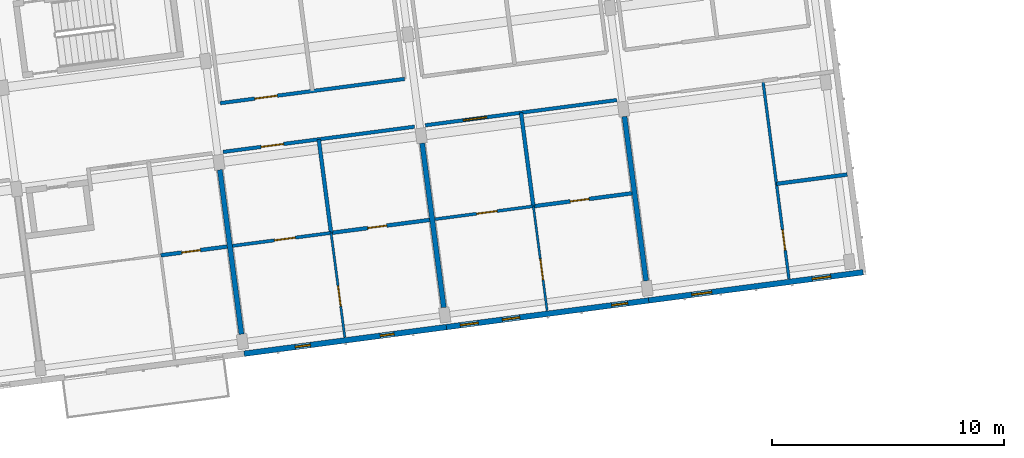
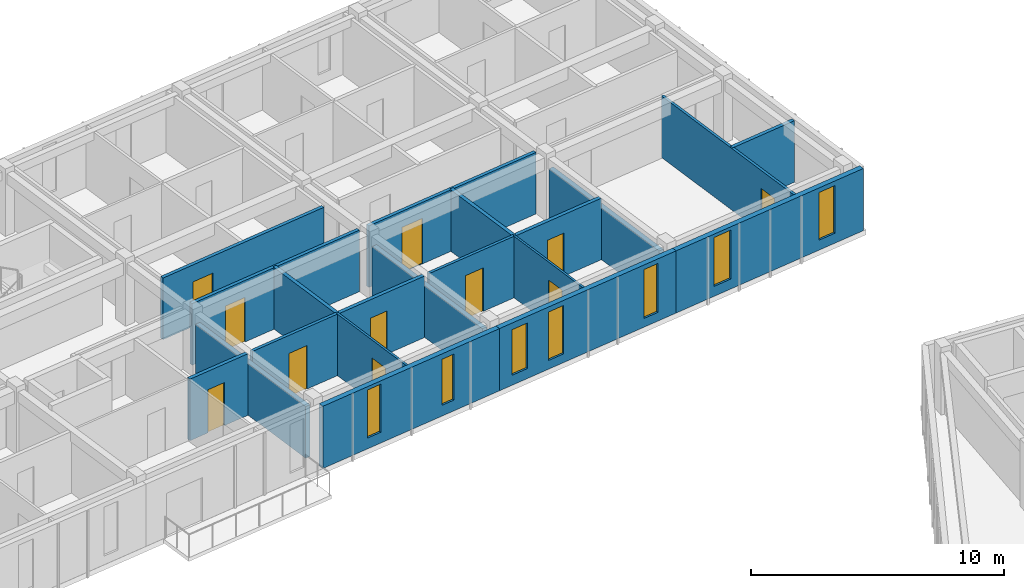
# One storey, part 22 of 56: 20 walls, 11 doors, 7 windows, 18 openings.
"""IFC4 building model written with IfcOpenShell, lengths in metres."""

from ifc_helpers import new_model, si_unit, direction, frame, frame_2d, origin, place, context, subcontext, project, spatial, rectangle, extrude, material, layer, layer_set, type_object, element, fill, save


model = new_model("IFC4")

# Units and contexts
model_context = context("Model", 3, precision=1e-05, world=origin(), true_north=direction((0.0, 1.0)))
body_context = subcontext(model_context, "Body", "Model", "MODEL_VIEW")
ifc_project = project(units=[si_unit("LENGTHUNIT", "METRE"), si_unit("AREAUNIT", "SQUARE_METRE"), si_unit("VOLUMEUNIT", "CUBIC_METRE"), si_unit("PLANEANGLEUNIT", "RADIAN"), si_unit("MASSUNIT", "GRAM", prefix="KILO")], contexts=[model_context])

# Site, building, storey
site_placement = place(None, origin())
site = spatial("IfcSite", under=ifc_project, at=site_placement, CompositionType="ELEMENT")
building_placement = place(site_placement, origin())
building = spatial("IfcBuilding", under=site, at=building_placement, Name="Kestramere Prow Commons", CompositionType="ELEMENT")
storey_placement = place(building_placement, frame((0.0, 0.0, 27.89990234375)))
storey = spatial("IfcBuildingStorey", under=building, at=storey_placement, Name="L08", CompositionType="ELEMENT", Elevation=27.89990234375)

# Wall, openings, windows
ifc_material_1 = material(Name="Fluoropolymer Standing-Seam Zinc-Aluminium Cladding", Category="aluminium")
ifc_layer_1 = layer(ifc_material_1, 0.239990234375)
ifc_layer_set_1 = layer_set([ifc_layer_1], Name="Fluoropolymer Standing-Seam Zinc-Aluminium Cladding")
wall_type_1 = type_object("IfcWallType", Name="EW-SEAM-240", PredefinedType="SOLIDWALL", material=ifc_layer_set_1)
wall_1_placement = place(storey_placement, frame((46.16748046875, 76.073974609375, 0.0), z_axis=(0.0, 0.0, 1.0), x_axis=(-0.991444377792, -0.130529865336, 0.0)))
wall_1 = element("IfcWall", 1, at=wall_1_placement, inside=storey, type_object=wall_type_1, Name="Block A L08 South Standing-Seam Wall 4", PredefinedType="SOLIDWALL", context=body_context, shape_type="SweptSolid", body=[
    extrude(rectangle(XDim=8.800048828125, YDim=0.239990234375, at=frame_2d((4.39990234375, 0.0))), origin(), (0.0, 0.0, 1.0), 3.0),
])
opening_1_placement = place(wall_1_placement, frame((2.27685546875, 0.0, 0.52001953125)))
opening_1 = element("IfcOpeningElement", 2, at=opening_1_placement, cuts=wall_1, Name="Opening WN-02", PredefinedType="OPENING", context=body_context, shape_type="SweptSolid", body=[
    extrude(rectangle(XDim=0.60009765625, YDim=2.219970703125, at=frame_2d((0.300048828125, 1.10986328125))), frame((0.0, 0.135009765625, 0.0), z_axis=(0.0, -1.0, 0.0), x_axis=(1.0, 0.0, 0.0)), (0.0, 0.0, 1.0), 0.27001953125),
])
opening_2_placement = place(wall_1_placement, frame((5.912353515625, 0.0, 0.52001953125)))
opening_2 = element("IfcOpeningElement", 3, at=opening_2_placement, cuts=wall_1, Name="Opening WN-05", PredefinedType="OPENING", context=body_context, shape_type="SweptSolid", body=[
    extrude(rectangle(XDim=0.659912109375, YDim=2.320068359375, at=frame_2d((0.330078125, 1.16015625))), frame((0.0, 0.135009765625, 0.0), z_axis=(0.0, -1.0, 0.0), x_axis=(1.0, 0.0, 0.0)), (0.0, 0.0, 1.0), 0.27001953125),
])
ifc_material_2 = material(Name="Low-E Laminated Double Glazing", Category="glass")
window_type_1 = type_object("IfcWindowType", Name="WN-NAR-600A", PartitioningType="SINGLE_PANEL", PredefinedType="WINDOW", material=ifc_material_2)
window_1_placement = place(opening_1_placement, origin())
window_1 = element("IfcWindow", 4, at=window_1_placement, inside=storey, type_object=window_type_1, Name="WN-A-L08-S-3-00", OverallHeight=2.219970703125, OverallWidth=0.60009765625, PartitioningType="SINGLE_PANEL", PredefinedType="WINDOW", context=body_context, shape_type="SweptSolid", body=[
    extrude(rectangle(XDim=0.60009765625, YDim=2.219970703125, at=frame_2d((0.300048828125, 1.10986328125))), frame((0.0, 0.030029296875, 0.0), z_axis=(0.0, -1.0, 0.0), x_axis=(1.0, 0.0, 0.0)), (0.0, 0.0, 1.0), 0.06005859375),
])
fill(opening_1, window_1)
window_type_2 = type_object("IfcWindowType", Name="WN-NAR-660A", PartitioningType="SINGLE_PANEL", PredefinedType="WINDOW", material=ifc_material_2)
window_2_placement = place(opening_2_placement, origin())
window_2 = element("IfcWindow", 5, at=window_2_placement, inside=storey, type_object=window_type_2, Name="WN-A-L08-S-3-10", OverallHeight=2.320068359375, OverallWidth=0.659912109375, PartitioningType="SINGLE_PANEL", PredefinedType="WINDOW", context=body_context, shape_type="SweptSolid", body=[
    extrude(rectangle(XDim=0.659912109375, YDim=2.320068359375, at=frame_2d((0.330078125, 1.16015625))), frame((0.0, 0.030029296875, 0.0), z_axis=(0.0, -1.0, 0.0), x_axis=(1.0, 0.0, 0.0)), (0.0, 0.0, 1.0), 0.06005859375),
])
fill(opening_2, window_2)

wall_2_placement = place(storey_placement, frame((54.89208984375, 77.22265625, 0.0), z_axis=(0.0, 0.0, 1.0), x_axis=(-0.991443905089, -0.130533455715, 0.0)))
wall_2 = element("IfcWall", 6, at=wall_2_placement, inside=storey, type_object=wall_type_1, Name="Block A L08 South Standing-Seam Wall 5", PredefinedType="SOLIDWALL", context=body_context, shape_type="SweptSolid", body=[
    extrude(rectangle(XDim=8.7998046875, YDim=0.239990234375, at=frame_2d((4.39990234375, 0.0))), origin(), (0.0, 0.0, 1.0), 3.0),
])
opening_3_placement = place(wall_2_placement, frame((0.9111328125, 0.0, 0.419921875)))
opening_3 = element("IfcOpeningElement", 7, at=opening_3_placement, cuts=wall_2, Name="Opening WN-07", PredefinedType="OPENING", context=body_context, shape_type="SweptSolid", body=[
    extrude(rectangle(XDim=0.699951171875, YDim=2.360107421875, at=frame_2d((0.35009765625, 1.18017578125))), frame((0.0, 0.135009765625, 0.0), z_axis=(0.0, -1.0, 0.0), x_axis=(1.0, 0.0, 0.0)), (0.0, 0.0, 1.0), 0.27001953125),
])
opening_4_placement = place(wall_2_placement, frame((5.60400390625, 0.0, 0.419921875)))
opening_4 = element("IfcOpeningElement", 8, at=opening_4_placement, cuts=wall_2, Name="Opening WN-10", PredefinedType="OPENING", context=body_context, shape_type="SweptSolid", body=[
    extrude(rectangle(XDim=0.760009765625, YDim=2.340087890625, at=frame_2d((0.3798828125, 1.169921875))), frame((0.0, 0.135009765625, 0.0), z_axis=(0.0, -1.0, 0.0), x_axis=(1.0, 0.0, 0.0)), (0.0, 0.0, 1.0), 0.27001953125),
])
opening_5_placement = place(wall_2_placement, frame((7.409912109375, 0.0, 0.47998046875)))
opening_5 = element("IfcOpeningElement", 9, at=opening_5_placement, cuts=wall_2, Name="Opening WN-11", PredefinedType="OPENING", context=body_context, shape_type="SweptSolid", body=[
    extrude(rectangle(XDim=0.780029296875, YDim=2.199951171875, at=frame_2d((0.39013671875, 1.10009765625))), frame((0.0, 0.135009765625, 0.0), z_axis=(0.0, -1.0, 0.0), x_axis=(1.0, 0.0, 0.0)), (0.0, 0.0, 1.0), 0.27001953125),
])
window_type_3 = type_object("IfcWindowType", Name="WN-NAR-700A", PartitioningType="SINGLE_PANEL", PredefinedType="WINDOW", material=ifc_material_2)
window_3_placement = place(opening_3_placement, origin())
window_3 = element("IfcWindow", 10, at=window_3_placement, inside=storey, type_object=window_type_3, Name="WN-A-L08-S-4-00", OverallHeight=2.360107421875, OverallWidth=0.699951171875, PartitioningType="SINGLE_PANEL", PredefinedType="WINDOW", context=body_context, shape_type="SweptSolid", body=[
    extrude(rectangle(XDim=0.699951171875, YDim=2.360107421875, at=frame_2d((0.35009765625, 1.18017578125))), frame((0.0, 0.030029296875, 0.0), z_axis=(0.0, -1.0, 0.0), x_axis=(1.0, 0.0, 0.0)), (0.0, 0.0, 1.0), 0.06005859375),
])
fill(opening_3, window_3)
window_type_4 = type_object("IfcWindowType", Name="WN-NAR-760A", PartitioningType="SINGLE_PANEL", PredefinedType="WINDOW", material=ifc_material_2)
window_4_placement = place(opening_4_placement, origin())
window_4 = element("IfcWindow", 11, at=window_4_placement, inside=storey, type_object=window_type_4, Name="WN-A-L08-S-4-10", OverallHeight=2.340087890625, OverallWidth=0.760009765625, PartitioningType="SINGLE_PANEL", PredefinedType="WINDOW", context=body_context, shape_type="SweptSolid", body=[
    extrude(rectangle(XDim=0.760009765625, YDim=2.340087890625, at=frame_2d((0.3798828125, 1.169921875))), frame((0.0, 0.030029296875, 0.0), z_axis=(0.0, -1.0, 0.0), x_axis=(1.0, 0.0, 0.0)), (0.0, 0.0, 1.0), 0.06005859375),
])
fill(opening_4, window_4)
window_type_5 = type_object("IfcWindowType", Name="WN-NAR-780A", PartitioningType="SINGLE_PANEL", PredefinedType="WINDOW", material=ifc_material_2)
window_5_placement = place(opening_5_placement, origin())
window_5 = element("IfcWindow", 12, at=window_5_placement, inside=storey, type_object=window_type_5, Name="WN-A-L08-S-4-11", OverallHeight=2.199951171875, OverallWidth=0.780029296875, PartitioningType="SINGLE_PANEL", PredefinedType="WINDOW", context=body_context, shape_type="SweptSolid", body=[
    extrude(rectangle(XDim=0.780029296875, YDim=2.199951171875, at=frame_2d((0.39013671875, 1.10009765625))), frame((0.0, 0.030029296875, 0.0), z_axis=(0.0, -1.0, 0.0), x_axis=(1.0, 0.0, 0.0)), (0.0, 0.0, 1.0), 0.06005859375),
])
fill(opening_5, window_5)

wall_3_placement = place(storey_placement, frame((64.13720703125, 78.439697265625, 0.0), z_axis=(0.0, 0.0, 1.0), x_axis=(-0.991446273426, -0.130515466173, 0.0)))
wall_3 = element("IfcWall", 13, at=wall_3_placement, inside=storey, type_object=wall_type_1, Name="Block A L08 South Standing-Seam Wall 6", PredefinedType="SOLIDWALL", context=body_context, shape_type="SweptSolid", body=[
    extrude(rectangle(XDim=9.324951171875, YDim=0.239990234375, at=frame_2d((4.66259765625, 0.0))), origin(), (0.0, 0.0, 1.0), 3.0),
])
opening_6_placement = place(wall_3_placement, frame((1.410888671875, 0.0, 0.47998046875)))
opening_6 = element("IfcOpeningElement", 14, at=opening_6_placement, cuts=wall_3, Name="Opening WN-12", PredefinedType="OPENING", context=body_context, shape_type="SweptSolid", body=[
    extrude(rectangle(XDim=0.800048828125, YDim=2.300048828125, at=frame_2d((0.39990234375, 1.14990234375))), frame((0.0, 0.135009765625, 0.0), z_axis=(0.0, -1.0, 0.0), x_axis=(1.0, 0.0, 0.0)), (0.0, 0.0, 1.0), 0.27001953125),
])
opening_7_placement = place(wall_3_placement, frame((6.590087890625, 0.0, 0.47998046875)))
opening_7 = element("IfcOpeningElement", 15, at=opening_7_placement, cuts=wall_3, Name="Opening WN-15", PredefinedType="OPENING", context=body_context, shape_type="SweptSolid", body=[
    extrude(rectangle(XDim=0.860107421875, YDim=2.360107421875, at=frame_2d((0.43017578125, 1.18017578125))), frame((0.0, 0.135009765625, 0.0), z_axis=(0.0, -1.0, 0.0), x_axis=(1.0, 0.0, 0.0)), (0.0, 0.0, 1.0), 0.27001953125),
])
window_type_6 = type_object("IfcWindowType", Name="WN-NAR-800A", PartitioningType="SINGLE_PANEL", PredefinedType="WINDOW", material=ifc_material_2)
window_6_placement = place(opening_6_placement, origin())
window_6 = element("IfcWindow", 16, at=window_6_placement, inside=storey, type_object=window_type_6, Name="WN-A-L08-S-5-00", OverallHeight=2.300048828125, OverallWidth=0.800048828125, PartitioningType="SINGLE_PANEL", PredefinedType="WINDOW", context=body_context, shape_type="SweptSolid", body=[
    extrude(rectangle(XDim=0.800048828125, YDim=2.300048828125, at=frame_2d((0.39990234375, 1.14990234375))), frame((0.0, 0.030029296875, 0.0), z_axis=(0.0, -1.0, 0.0), x_axis=(1.0, 0.0, 0.0)), (0.0, 0.0, 1.0), 0.06005859375),
])
fill(opening_6, window_6)
window_type_7 = type_object("IfcWindowType", Name="WN-NAR-860A", PartitioningType="DOUBLE_PANEL_VERTICAL", PredefinedType="WINDOW", material=ifc_material_2)
window_7_placement = place(opening_7_placement, origin())
window_7 = element("IfcWindow", 17, at=window_7_placement, inside=storey, type_object=window_type_7, Name="WN-A-L08-S-5-10", OverallHeight=2.360107421875, OverallWidth=0.860107421875, PartitioningType="SINGLE_PANEL", PredefinedType="WINDOW", context=body_context, shape_type="SweptSolid", body=[
    extrude(rectangle(XDim=0.860107421875, YDim=2.360107421875, at=frame_2d((0.43017578125, 1.18017578125))), frame((0.0, 0.030029296875, 0.0), z_axis=(0.0, -1.0, 0.0), x_axis=(1.0, 0.0, 0.0)), (0.0, 0.0, 1.0), 0.06005859375),
])
fill(opening_7, window_7)

# Wall, opening, door
ifc_material_3 = material(Name="Fire-Rated Calcium Silicate Wall")
ifc_layer_2 = layer(ifc_material_3, 0.155029296875)
ifc_layer_set_2 = layer_set([ifc_layer_2], Name="Fire-Rated Calcium Silicate Wall")
wall_type_2 = type_object("IfcWallType", Name="W-FIRE-150", PredefinedType="PARTITIONING", material=ifc_layer_set_2)
wall_4_placement = place(storey_placement, frame((36.5341796875, 83.626220703125, 0.0), z_axis=(0.0, 0.0, 1.0), x_axis=(0.991443119217, 0.13053942453, 0.0)))
wall_4 = element("IfcWall", 18, at=wall_4_placement, inside=storey, type_object=wall_type_2, Name="Interior Partition PW-A-L08-CS-3", PredefinedType="PARTITIONING", context=body_context, shape_type="SweptSolid", body=[
    extrude(rectangle(XDim=8.330078125, YDim=0.155029296875, at=frame_2d((4.1650390625, 0.0))), origin(), (0.0, 0.0, 1.0), 2.97021484375),
])
opening_8_placement = place(wall_4_placement, frame((1.655029296875, 0.0, 0.0)))
opening_8 = element("IfcOpeningElement", 19, at=opening_8_placement, cuts=wall_4, Name="Opening ID-04", PredefinedType="OPENING", context=body_context, shape_type="SweptSolid", body=[
    extrude(rectangle(XDim=0.97998046875, YDim=2.14990234375, at=frame_2d((0.489990234375, 1.074951171875))), frame((0.0, 0.092529296875, 0.0), z_axis=(0.0, -1.0, 0.0), x_axis=(1.0, 0.0, 0.0)), (0.0, 0.0, 1.0), 0.18505859375),
])
ifc_material_4 = material(Name="Hardwood Fire-Rated Flat Entrance Door", Category="wood")
door_type_1 = type_object("IfcDoorType", Name="FD-ENT-01", OperationType="NOTDEFINED", PredefinedType="DOOR", material=ifc_material_4)
door_1_placement = place(opening_8_placement, origin())
door_1 = element("IfcDoor", 20, at=door_1_placement, inside=storey, type_object=door_type_1, Name="Interior Door DR-A-L08-ENT-S3", OperationType="SINGLE_SWING_RIGHT", OverallHeight=2.14990234375, OverallWidth=0.97998046875, PredefinedType="DOOR", context=body_context, shape_type="SweptSolid", body=[
    extrude(rectangle(XDim=0.97998046875, YDim=2.14990234375, at=frame_2d((0.489990234375, 1.074951171875))), frame((0.0, 0.02490234375, 0.0), z_axis=(0.0, -1.0, 0.0), x_axis=(1.0, 0.0, 0.0)), (0.0, 0.0, 1.0), 0.050048828125),
])
fill(opening_8, door_1)

wall_5_placement = place(storey_placement, frame((45.259033203125, 84.77490234375, 0.0), z_axis=(0.0, 0.0, 1.0), x_axis=(0.991446412738, 0.130514407897, 0.0)))
wall_5 = element("IfcWall", 21, at=wall_5_placement, inside=storey, type_object=wall_type_2, Name="Interior Partition PW-A-L08-CS-4", PredefinedType="PARTITIONING", context=body_context, shape_type="SweptSolid", body=[
    extrude(rectangle(XDim=8.329833984375, YDim=0.155029296875, at=frame_2d((4.1650390625, 0.0))), origin(), (0.0, 0.0, 1.0), 2.97021484375),
])
opening_9_placement = place(wall_5_placement, frame((1.655029296875, 0.0, 0.0)))
opening_9 = element("IfcOpeningElement", 22, at=opening_9_placement, cuts=wall_5, Name="Opening ID-05", PredefinedType="OPENING", context=body_context, shape_type="SweptSolid", body=[
    extrude(rectangle(XDim=1.02001953125, YDim=2.199951171875, at=frame_2d((0.510009765625, 1.10009765625))), frame((0.0, 0.092529296875, 0.0), z_axis=(0.0, -1.0, 0.0), x_axis=(1.0, 0.0, 0.0)), (0.0, 0.0, 1.0), 0.18505859375),
])
door_type_2 = type_object("IfcDoorType", Name="FD-ENT-02", OperationType="NOTDEFINED", PredefinedType="DOOR", material=ifc_material_4)
door_2_placement = place(opening_9_placement, origin())
door_2 = element("IfcDoor", 23, at=door_2_placement, inside=storey, type_object=door_type_2, Name="Interior Door DR-A-L08-ENT-S4", OperationType="SINGLE_SWING_LEFT", OverallHeight=2.199951171875, OverallWidth=1.02001953125, PredefinedType="DOOR", context=body_context, shape_type="SweptSolid", body=[
    extrude(rectangle(XDim=1.02001953125, YDim=2.199951171875, at=frame_2d((0.510009765625, 1.10009765625))), frame((0.0, 0.02490234375, 0.0), z_axis=(0.0, -1.0, 0.0), x_axis=(1.0, 0.0, 0.0)), (0.0, 0.0, 1.0), 0.050048828125),
])
fill(opening_9, door_2)

wall_6_placement = place(storey_placement, frame((36.413818359375, 85.728515625, 0.0), z_axis=(0.0, 0.0, 1.0), x_axis=(0.991444034844, 0.130532470184, 0.0)))
wall_6 = element("IfcWall", 24, at=wall_6_placement, inside=storey, type_object=wall_type_2, Name="Interior Partition PW-A-L08-CN-3", PredefinedType="PARTITIONING", context=body_context, shape_type="SweptSolid", body=[
    extrude(rectangle(XDim=8.02001953125, YDim=0.155029296875, at=frame_2d((4.010009765625, 0.0))), origin(), (0.0, 0.0, 1.0), 2.97021484375),
])
opening_10_placement = place(wall_6_placement, frame((1.5048828125, 0.0, 0.0)))
opening_10 = element("IfcOpeningElement", 25, at=opening_10_placement, cuts=wall_6, Name="Opening ID-04", PredefinedType="OPENING", context=body_context, shape_type="SweptSolid", body=[
    extrude(rectangle(XDim=0.97998046875, YDim=2.14990234375, at=frame_2d((0.489990234375, 1.074951171875))), frame((0.0, 0.092529296875, 0.0), z_axis=(0.0, -1.0, 0.0), x_axis=(1.0, 0.0, 0.0)), (0.0, 0.0, 1.0), 0.18505859375),
])
door_3_placement = place(opening_10_placement, origin())
door_3 = element("IfcDoor", 26, at=door_3_placement, inside=storey, type_object=door_type_1, Name="Interior Door DR-A-L08-ENT-N3", OperationType="SINGLE_SWING_RIGHT", OverallHeight=2.14990234375, OverallWidth=0.97998046875, PredefinedType="DOOR", context=body_context, shape_type="SweptSolid", body=[
    extrude(rectangle(XDim=0.97998046875, YDim=2.14990234375, at=frame_2d((0.489990234375, 1.074951171875))), frame((0.0, 0.02490234375, 0.0), z_axis=(0.0, -1.0, 0.0), x_axis=(1.0, 0.0, 0.0)), (0.0, 0.0, 1.0), 0.050048828125),
])
fill(opening_10, door_3)

ifc_material_5 = material(Name="Gypsum Acoustic Drywall")
ifc_layer_3 = layer(ifc_material_5, 0.10009765625)
ifc_layer_set_3 = layer_set([ifc_layer_3], Name="Gypsum Acoustic Drywall")
wall_type_3 = type_object("IfcWallType", Name="W-PART-100", PredefinedType="PARTITIONING", material=ifc_layer_set_3)
wall_7_placement = place(storey_placement, frame((41.787353515625, 75.633544921875, 0.0), z_axis=(0.0, 0.0, 1.0), x_axis=(-0.130511545171, 0.991446789584, 0.0)))
wall_7 = element("IfcWall", 27, at=wall_7_placement, inside=storey, type_object=wall_type_3, Name="Interior Partition PW-A-L08-LB-S3", PredefinedType="PARTITIONING", context=body_context, shape_type="SweptSolid", body=[
    extrude(rectangle(XDim=4.5400390625, YDim=0.10009765625, at=frame_2d((2.27001953125, 0.0))), origin(), (0.0, 0.0, 1.0), 2.97021484375),
])
opening_11_placement = place(wall_7_placement, frame((1.35009765625, 0.0, 0.0)))
opening_11 = element("IfcOpeningElement", 28, at=opening_11_placement, cuts=wall_7, Name="Opening ID-10", PredefinedType="OPENING", context=body_context, shape_type="SweptSolid", body=[
    extrude(rectangle(XDim=0.8798828125, YDim=2.10009765625, at=frame_2d((0.43994140625, 1.050048828125))), frame((0.0, 0.06494140625, 0.0), z_axis=(0.0, -1.0, 0.0), x_axis=(1.0, 0.0, 0.0)), (0.0, 0.0, 1.0), 0.130126953125),
])
ifc_material_6 = material(Name="Engineered Timber Bedroom Door", Category="wood")
door_type_3 = type_object("IfcDoorType", Name="D-RM-03", OperationType="NOTDEFINED", PredefinedType="DOOR", material=ifc_material_6)
door_4_placement = place(opening_11_placement, origin())
door_4 = element("IfcDoor", 29, at=door_4_placement, inside=storey, type_object=door_type_3, Name="Interior Door DR-A-L08-BED-S3", OperationType="SINGLE_SWING_RIGHT", OverallHeight=2.10009765625, OverallWidth=0.8798828125, PredefinedType="DOOR", context=body_context, shape_type="SweptSolid", body=[
    extrude(rectangle(XDim=0.8798828125, YDim=2.10009765625, at=frame_2d((0.43994140625, 1.050048828125))), frame((0.0, 0.02490234375, 0.0), z_axis=(0.0, -1.0, 0.0), x_axis=(1.0, 0.0, 0.0)), (0.0, 0.0, 1.0), 0.050048828125),
])
fill(opening_11, door_4)

ifc_material_7 = material(Name="Lightweight Blockwork and Plaster", Category="masonry")
ifc_layer_4 = layer(ifc_material_7, 0.1201171875)
ifc_layer_set_4 = layer_set([ifc_layer_4], Name="Lightweight Blockwork and Plaster")
wall_type_4 = type_object("IfcWallType", Name="W-PART-120", PredefinedType="PARTITIONING", material=ifc_layer_set_4)
wall_8_placement = place(storey_placement, frame((60.942138671875, 78.1552734375, 0.0), z_axis=(0.0, 0.0, 1.0), x_axis=(-0.13051979335, 0.99144570378, 0.0)))
wall_8 = element("IfcWall", 30, at=wall_8_placement, inside=storey, type_object=wall_type_4, Name="Interior Partition PW-A-L08-SKDV-5", PredefinedType="PARTITIONING", context=body_context, shape_type="SweptSolid", body=[
    extrude(rectangle(XDim=8.610107421875, YDim=0.1201171875, at=frame_2d((4.30517578125, 0.0))), origin(), (0.0, 0.0, 1.0), 2.97021484375),
])
opening_12_placement = place(wall_8_placement, frame((1.25, 0.0, 0.0)))
opening_12 = element("IfcOpeningElement", 31, at=opening_12_placement, cuts=wall_8, Name="Opening ID-10", PredefinedType="OPENING", context=body_context, shape_type="SweptSolid", body=[
    extrude(rectangle(XDim=0.8798828125, YDim=2.10009765625, at=frame_2d((0.43994140625, 1.050048828125))), frame((0.0, 0.074951171875, 0.0), z_axis=(0.0, -1.0, 0.0), x_axis=(1.0, 0.0, 0.0)), (0.0, 0.0, 1.0), 0.150146484375),
])
door_5_placement = place(opening_12_placement, origin())
door_5 = element("IfcDoor", 32, at=door_5_placement, inside=storey, type_object=door_type_3, Name="Interior Door DR-A-L08-SKAL-5", OperationType="SINGLE_SWING_LEFT", OverallHeight=2.10009765625, OverallWidth=0.8798828125, PredefinedType="DOOR", context=body_context, shape_type="SweptSolid", body=[
    extrude(rectangle(XDim=0.8798828125, YDim=2.10009765625, at=frame_2d((0.43994140625, 1.050048828125))), frame((0.0, 0.02490234375, 0.0), z_axis=(0.0, -1.0, 0.0), x_axis=(1.0, 0.0, 0.0)), (0.0, 0.0, 1.0), 0.050048828125),
])
fill(opening_12, door_5)

ifc_layer_5 = layer(ifc_material_7, 0.1298828125)
ifc_layer_set_5 = layer_set([ifc_layer_5], Name="Lightweight Blockwork and Plaster")
wall_type_5 = type_object("IfcWallType", Name="W-PART-130", PredefinedType="PARTITIONING", material=ifc_layer_set_5)
wall_9_placement = place(storey_placement, frame((45.671142578125, 80.72412109375, 0.0), z_axis=(0.0, 0.0, 1.0), x_axis=(0.991444014242, 0.130532626667, 0.0)))
wall_9 = element("IfcWall", 33, at=wall_9_placement, inside=storey, type_object=wall_type_5, Name="Interior Partition PW-A-L08-MIDS1-4", PredefinedType="PARTITIONING", context=body_context, shape_type="SweptSolid", body=[
    extrude(rectangle(XDim=4.284912109375, YDim=0.1298828125, at=frame_2d((2.142578125, 0.0))), origin(), (0.0, 0.0, 1.0), 2.97021484375),
])
opening_13_placement = place(wall_9_placement, frame((1.824951171875, 0.0, 0.0)))
opening_13 = element("IfcOpeningElement", 34, at=opening_13_placement, cuts=wall_9, Name="Opening ID-10", PredefinedType="OPENING", context=body_context, shape_type="SweptSolid", body=[
    extrude(rectangle(XDim=0.8798828125, YDim=2.10009765625, at=frame_2d((0.43994140625, 1.050048828125))), frame((0.0, 0.079833984375, 0.0), z_axis=(0.0, -1.0, 0.0), x_axis=(1.0, 0.0, 0.0)), (0.0, 0.0, 1.0), 0.159912109375),
])
door_6_placement = place(opening_13_placement, origin())
door_6 = element("IfcDoor", 35, at=door_6_placement, inside=storey, type_object=door_type_3, Name="Interior Door DR-A-L08-KL-S4", OperationType="SINGLE_SWING_RIGHT", OverallHeight=2.10009765625, OverallWidth=0.8798828125, PredefinedType="DOOR", context=body_context, shape_type="SweptSolid", body=[
    extrude(rectangle(XDim=0.8798828125, YDim=2.10009765625, at=frame_2d((0.43994140625, 1.050048828125))), frame((0.0, 0.02490234375, 0.0), z_axis=(0.0, -1.0, 0.0), x_axis=(1.0, 0.0, 0.0)), (0.0, 0.0, 1.0), 0.050048828125),
])
fill(opening_13, door_6)

ifc_material_8 = material(Name="Masonry Compartment Wall", Category="masonry")
ifc_layer_6 = layer(ifc_material_8, 0.139892578125)
ifc_layer_set_6 = layer_set([ifc_layer_6], Name="Masonry Compartment Wall")
wall_type_6 = type_object("IfcWallType", Name="W-PART-140", PredefinedType="PARTITIONING", material=ifc_layer_set_6)
wall_10_placement = place(storey_placement, frame((36.946533203125, 79.575439453125, 0.0), z_axis=(0.0, 0.0, 1.0), x_axis=(0.991444014242, 0.130532626667, 0.0)))
wall_10 = element("IfcWall", 36, at=wall_10_placement, inside=storey, type_object=wall_type_6, Name="Interior Partition PW-A-L08-MIDS1-3", PredefinedType="PARTITIONING", context=body_context, shape_type="SweptSolid", body=[
    extrude(rectangle(XDim=4.284912109375, YDim=0.139892578125, at=frame_2d((2.142578125, 0.0))), origin(), (0.0, 0.0, 1.0), 2.97021484375),
])
opening_14_placement = place(wall_10_placement, frame((1.824951171875, 0.0, 0.0)))
opening_14 = element("IfcOpeningElement", 37, at=opening_14_placement, cuts=wall_10, Name="Opening ID-08", PredefinedType="OPENING", context=body_context, shape_type="SweptSolid", body=[
    extrude(rectangle(XDim=0.89990234375, YDim=2.10009765625, at=frame_2d((0.449951171875, 1.050048828125))), frame((0.0, 0.0849609375, 0.0), z_axis=(0.0, -1.0, 0.0), x_axis=(1.0, 0.0, 0.0)), (0.0, 0.0, 1.0), 0.169921875),
])
ifc_material_9 = material(Name="Engineered Timber Flush Door", Category="wood")
door_type_4 = type_object("IfcDoorType", Name="D-RM-01", OperationType="NOTDEFINED", PredefinedType="DOOR", material=ifc_material_9)
door_7_placement = place(opening_14_placement, origin())
door_7 = element("IfcDoor", 38, at=door_7_placement, inside=storey, type_object=door_type_4, Name="Interior Door DR-A-L08-KL-S3", OperationType="SINGLE_SWING_RIGHT", OverallHeight=2.10009765625, OverallWidth=0.89990234375, PredefinedType="DOOR", context=body_context, shape_type="SweptSolid", body=[
    extrude(rectangle(XDim=0.89990234375, YDim=2.10009765625, at=frame_2d((0.449951171875, 1.050048828125))), frame((0.0, 0.02490234375, 0.0), z_axis=(0.0, -1.0, 0.0), x_axis=(1.0, 0.0, 0.0)), (0.0, 0.0, 1.0), 0.050048828125),
])
fill(opening_14, door_7)

ifc_layer_7 = layer(ifc_material_5, 0.094970703125)
ifc_layer_set_7 = layer_set([ifc_layer_7], Name="Gypsum Acoustic Drywall")
wall_type_7 = type_object("IfcWallType", Name="W-PART-95", PredefinedType="PARTITIONING", material=ifc_layer_set_7)
wall_11_placement = place(storey_placement, frame((50.51220703125, 76.7822265625, 0.0), z_axis=(0.0, 0.0, 1.0), x_axis=(-0.130564403497, 0.991439830015, 0.0)))
wall_11 = element("IfcWall", 39, at=wall_11_placement, inside=storey, type_object=wall_type_7, Name="Interior Partition PW-A-L08-LB-S4", PredefinedType="PARTITIONING", context=body_context, shape_type="SweptSolid", body=[
    extrude(rectangle(XDim=4.5400390625, YDim=0.094970703125, at=frame_2d((2.27001953125, 0.0))), origin(), (0.0, 0.0, 1.0), 2.97021484375),
])
opening_15_placement = place(wall_11_placement, frame((1.35009765625, 0.0, 0.0)))
opening_15 = element("IfcOpeningElement", 40, at=opening_15_placement, cuts=wall_11, Name="Opening ID-08", PredefinedType="OPENING", context=body_context, shape_type="SweptSolid", body=[
    extrude(rectangle(XDim=0.89990234375, YDim=2.10009765625, at=frame_2d((0.449951171875, 1.050048828125))), frame((0.0, 0.0625, 0.0), z_axis=(0.0, -1.0, 0.0), x_axis=(1.0, 0.0, 0.0)), (0.0, 0.0, 1.0), 0.125),
])
door_8_placement = place(opening_15_placement, origin())
door_8 = element("IfcDoor", 41, at=door_8_placement, inside=storey, type_object=door_type_4, Name="Interior Door DR-A-L08-BED-S4", OperationType="SINGLE_SWING_LEFT", OverallHeight=2.10009765625, OverallWidth=0.89990234375, PredefinedType="DOOR", context=body_context, shape_type="SweptSolid", body=[
    extrude(rectangle(XDim=0.89990234375, YDim=2.10009765625, at=frame_2d((0.449951171875, 1.050048828125))), frame((0.0, 0.02490234375, 0.0), z_axis=(0.0, -1.0, 0.0), x_axis=(1.0, 0.0, 0.0)), (0.0, 0.0, 1.0), 0.050048828125),
])
fill(opening_15, door_8)

ifc_material_10 = material(Name="Waterproof Sanitary Masonry Wall", Category="masonry")
ifc_layer_8 = layer(ifc_material_10, 0.1650390625)
ifc_layer_set_8 = layer_set([ifc_layer_8], Name="Waterproof Sanitary Masonry Wall")
wall_type_8 = type_object("IfcWallType", Name="W-PLUMB-150", PredefinedType="PLUMBINGWALL", material=ifc_layer_set_8)
wall_12_placement = place(storey_placement, frame((33.853271484375, 79.168212890625, 0.0), z_axis=(0.0, 0.0, 1.0), x_axis=(0.9914456672, 0.130520071219, 0.0)))
wall_12 = element("IfcWall", 42, at=wall_12_placement, inside=storey, type_object=wall_type_8, Name="Interior Partition PW-A-L08-MIDS2-2", PredefinedType="PLUMBINGWALL", context=body_context, shape_type="SweptSolid", body=[
    extrude(rectangle(XDim=2.889892578125, YDim=0.1650390625, at=frame_2d((1.44482421875, 0.0))), origin(), (0.0, 0.0, 1.0), 2.97021484375),
])
opening_16_placement = place(wall_12_placement, frame((0.903076171875, 0.0, 0.0)))
opening_16 = element("IfcOpeningElement", 43, at=opening_16_placement, cuts=wall_12, Name="Opening ID-11", PredefinedType="OPENING", context=body_context, shape_type="SweptSolid", body=[
    extrude(rectangle(XDim=0.820068359375, YDim=2.080078125, at=frame_2d((0.41015625, 1.0400390625))), frame((0.0, 0.097412109375, 0.0), z_axis=(0.0, -1.0, 0.0), x_axis=(1.0, 0.0, 0.0)), (0.0, 0.0, 1.0), 0.195068359375),
])
ifc_material_11 = material(Name="Moisture-Resistant Timber Bathroom Door", Category="wood")
door_type_5 = type_object("IfcDoorType", Name="D-BT-01", OperationType="NOTDEFINED", PredefinedType="DOOR", material=ifc_material_11)
door_9_placement = place(opening_16_placement, origin())
door_9 = element("IfcDoor", 44, at=door_9_placement, inside=storey, type_object=door_type_5, Name="Interior Door DR-A-L08-BTH-S2", OperationType="SINGLE_SWING_LEFT", OverallHeight=2.080078125, OverallWidth=0.820068359375, PredefinedType="DOOR", context=body_context, shape_type="SweptSolid", body=[
    extrude(rectangle(XDim=0.820068359375, YDim=2.080078125, at=frame_2d((0.41015625, 1.0400390625))), frame((0.0, 0.02490234375, 0.0), z_axis=(0.0, -1.0, 0.0), x_axis=(1.0, 0.0, 0.0)), (0.0, 0.0, 1.0), 0.050048828125),
])
fill(opening_16, door_9)

wall_13_placement = place(storey_placement, frame((41.19482421875, 80.134765625, 0.0), z_axis=(0.0, 0.0, 1.0), x_axis=(0.991444014242, 0.130532626667, 0.0)))
wall_13 = element("IfcWall", 45, at=wall_13_placement, inside=storey, type_object=wall_type_8, Name="Interior Partition PW-A-L08-MIDS2-3", PredefinedType="PLUMBINGWALL", context=body_context, shape_type="SweptSolid", body=[
    extrude(rectangle(XDim=4.284912109375, YDim=0.1650390625, at=frame_2d((2.142578125, 0.0))), origin(), (0.0, 0.0, 1.0), 2.97021484375),
])
opening_17_placement = place(wall_13_placement, frame((1.60009765625, 0.0, 0.0)))
opening_17 = element("IfcOpeningElement", 46, at=opening_17_placement, cuts=wall_13, Name="Opening ID-11", PredefinedType="OPENING", context=body_context, shape_type="SweptSolid", body=[
    extrude(rectangle(XDim=0.820068359375, YDim=2.080078125, at=frame_2d((0.41015625, 1.0400390625))), frame((0.0, 0.097412109375, 0.0), z_axis=(0.0, -1.0, 0.0), x_axis=(1.0, 0.0, 0.0)), (0.0, 0.0, 1.0), 0.195068359375),
])
door_10_placement = place(opening_17_placement, origin())
door_10 = element("IfcDoor", 47, at=door_10_placement, inside=storey, type_object=door_type_5, Name="Interior Door DR-A-L08-BTH-S3", OperationType="SINGLE_SWING_LEFT", OverallHeight=2.080078125, OverallWidth=0.820068359375, PredefinedType="DOOR", context=body_context, shape_type="SweptSolid", body=[
    extrude(rectangle(XDim=0.820068359375, YDim=2.080078125, at=frame_2d((0.41015625, 1.0400390625))), frame((0.0, 0.02490234375, 0.0), z_axis=(0.0, -1.0, 0.0), x_axis=(1.0, 0.0, 0.0)), (0.0, 0.0, 1.0), 0.050048828125),
])
fill(opening_17, door_10)

# Wall
wall_14_placement = place(storey_placement, frame((41.19482421875, 80.134765625, 0.0), z_axis=(0.0, 0.0, 1.0), x_axis=(-0.13052899417, 0.991444492486, 0.0)))
element("IfcWall", 48, at=wall_14_placement, inside=storey, type_object=wall_type_8, Name="Interior Partition PW-A-L08-KB-S3", PredefinedType="PLUMBINGWALL", context=body_context, shape_type="SweptSolid", body=[
    extrude(rectangle(XDim=4.070068359375, YDim=0.1650390625, at=frame_2d((2.03515625, 0.0))), origin(), (0.0, 0.0, 1.0), 2.97021484375),
])

# Wall, opening, door
wall_15_placement = place(storey_placement, frame((49.91943359375, 81.283447265625, 0.0), z_axis=(0.0, 0.0, 1.0), x_axis=(0.991452356241, 0.130469250419, 0.0)))
wall_15 = element("IfcWall", 49, at=wall_15_placement, inside=storey, type_object=wall_type_8, Name="Interior Partition PW-A-L08-MIDS2-4", PredefinedType="PLUMBINGWALL", context=body_context, shape_type="SweptSolid", body=[
    extrude(rectangle(XDim=4.28515625, YDim=0.1650390625, at=frame_2d((2.142578125, 0.0))), origin(), (0.0, 0.0, 1.0), 2.97021484375),
])
opening_18_placement = place(wall_15_placement, frame((1.60009765625, 0.0, 0.0)))
opening_18 = element("IfcOpeningElement", 50, at=opening_18_placement, cuts=wall_15, Name="Opening ID-11", PredefinedType="OPENING", context=body_context, shape_type="SweptSolid", body=[
    extrude(rectangle(XDim=0.820068359375, YDim=2.080078125, at=frame_2d((0.41015625, 1.0400390625))), frame((0.0, 0.097412109375, 0.0), z_axis=(0.0, -1.0, 0.0), x_axis=(1.0, 0.0, 0.0)), (0.0, 0.0, 1.0), 0.195068359375),
])
door_11_placement = place(opening_18_placement, origin())
door_11 = element("IfcDoor", 51, at=door_11_placement, inside=storey, type_object=door_type_5, Name="Interior Door DR-A-L08-BTH-S4", OperationType="SINGLE_SWING_LEFT", OverallHeight=2.080078125, OverallWidth=0.820068359375, PredefinedType="DOOR", context=body_context, shape_type="SweptSolid", body=[
    extrude(rectangle(XDim=0.820068359375, YDim=2.080078125, at=frame_2d((0.41015625, 1.0400390625))), frame((0.0, 0.02490234375, 0.0), z_axis=(0.0, -1.0, 0.0), x_axis=(1.0, 0.0, 0.0)), (0.0, 0.0, 1.0), 0.050048828125),
])
fill(opening_18, door_11)

# Walls
wall_16_placement = place(storey_placement, frame((49.91943359375, 81.283447265625, 0.0), z_axis=(0.0, 0.0, 1.0), x_axis=(-0.13052899417, 0.991444492486, 0.0)))
element("IfcWall", 52, at=wall_16_placement, inside=storey, type_object=wall_type_8, Name="Interior Partition PW-A-L08-KB-S4", PredefinedType="PLUMBINGWALL", context=body_context, shape_type="SweptSolid", body=[
    extrude(rectangle(XDim=4.070068359375, YDim=0.1650390625, at=frame_2d((2.03515625, 0.0))), origin(), (0.0, 0.0, 1.0), 2.97021484375),
])
wall_17_placement = place(storey_placement, frame((60.403076171875, 82.25, 0.0), z_axis=(0.0, 0.0, 1.0), x_axis=(0.991444293548, 0.130530505213, 0.0)))
element("IfcWall", 53, at=wall_17_placement, inside=storey, type_object=wall_type_8, Name="Interior Partition PW-A-L08-SKHZ-5", PredefinedType="PLUMBINGWALL", context=body_context, shape_type="SweptSolid", body=[
    extrude(rectangle(XDim=3.074951171875, YDim=0.1650390625, at=frame_2d((1.53759765625, 0.0))), origin(), (0.0, 0.0, 1.0), 2.97021484375),
])
ifc_material_12 = material(Name="Precast concrete C40/50", Category="concrete")
ifc_layer_9 = layer(ifc_material_12, 0.219970703125)
ifc_layer_set_9 = layer_set([ifc_layer_9], Name="Precast concrete C40/50")
wall_type_9 = type_object("IfcWallType", Name="W-XWALL-220", PredefinedType="SHEAR", material=ifc_layer_set_9)
wall_18_placement = place(storey_placement, frame((37.331787109375, 75.76806640625, 0.0), z_axis=(0.0, 0.0, 1.0), x_axis=(-0.130537539388, 0.991443367425, 0.0)))
element("IfcWall", 54, at=wall_18_placement, inside=storey, type_object=wall_type_9, Name="Block A L08 Precast Cross-Wall 3", PredefinedType="SHEAR", context=body_context, shape_type="SweptSolid", body=[
    extrude(rectangle(XDim=7.150146484375, YDim=0.219970703125, at=frame_2d((3.5751953125, 0.0))), origin(), (0.0, 0.0, 1.0), 2.5),
])
wall_19_placement = place(storey_placement, frame((46.056396484375, 76.916748046875, 0.0), z_axis=(0.0, 0.0, 1.0), x_axis=(-0.130503975686, 0.991447785983, 0.0)))
element("IfcWall", 55, at=wall_19_placement, inside=storey, type_object=wall_type_9, Name="Block A L08 Precast Cross-Wall 4", PredefinedType="SHEAR", context=body_context, shape_type="SweptSolid", body=[
    extrude(rectangle(XDim=7.14990234375, YDim=0.219970703125, at=frame_2d((3.574951171875, 0.0))), origin(), (0.0, 0.0, 1.0), 2.5),
])
wall_20_placement = place(storey_placement, frame((54.78125, 78.0654296875, 0.0), z_axis=(0.0, 0.0, 1.0), x_axis=(-0.130537539388, 0.991443367425, 0.0)))
element("IfcWall", 56, at=wall_20_placement, inside=storey, type_object=wall_type_9, Name="Block A L08 Precast Cross-Wall 5", PredefinedType="SHEAR", context=body_context, shape_type="SweptSolid", body=[
    extrude(rectangle(XDim=7.150146484375, YDim=0.219970703125, at=frame_2d((3.5751953125, 0.0))), origin(), (0.0, 0.0, 1.0), 2.5),
])

save(model, "model.ifc")
